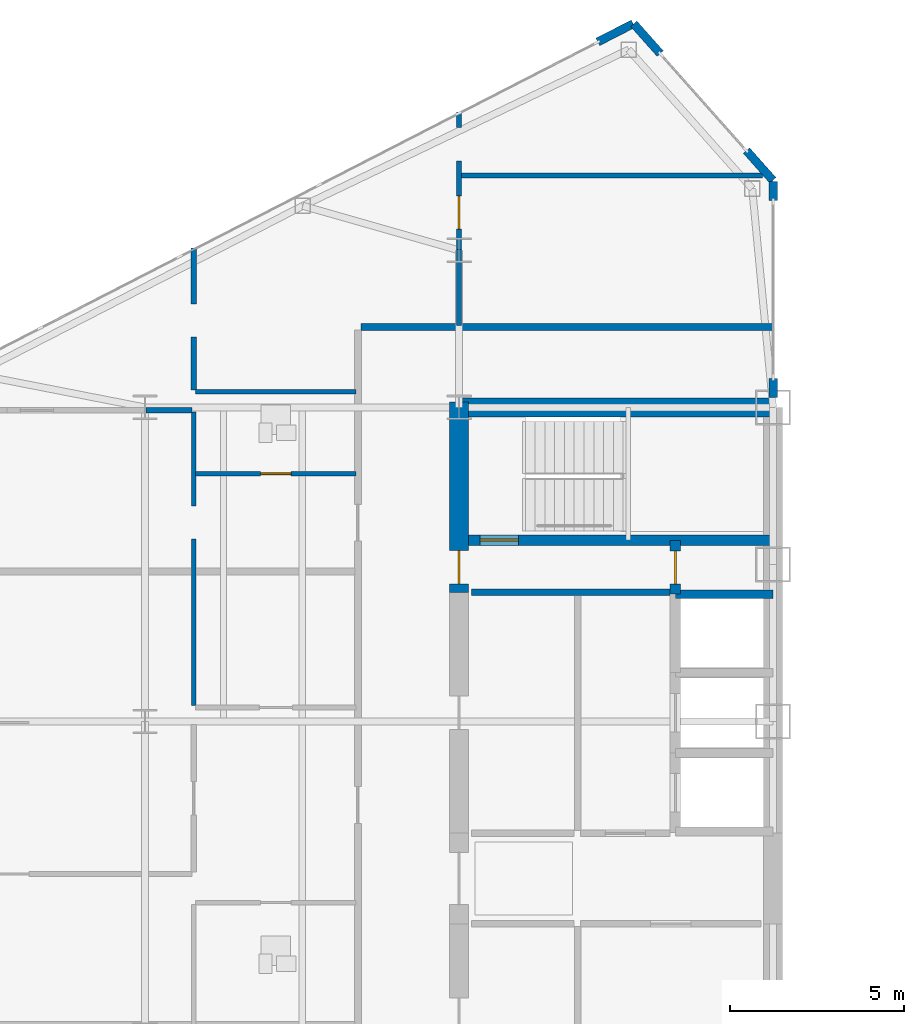
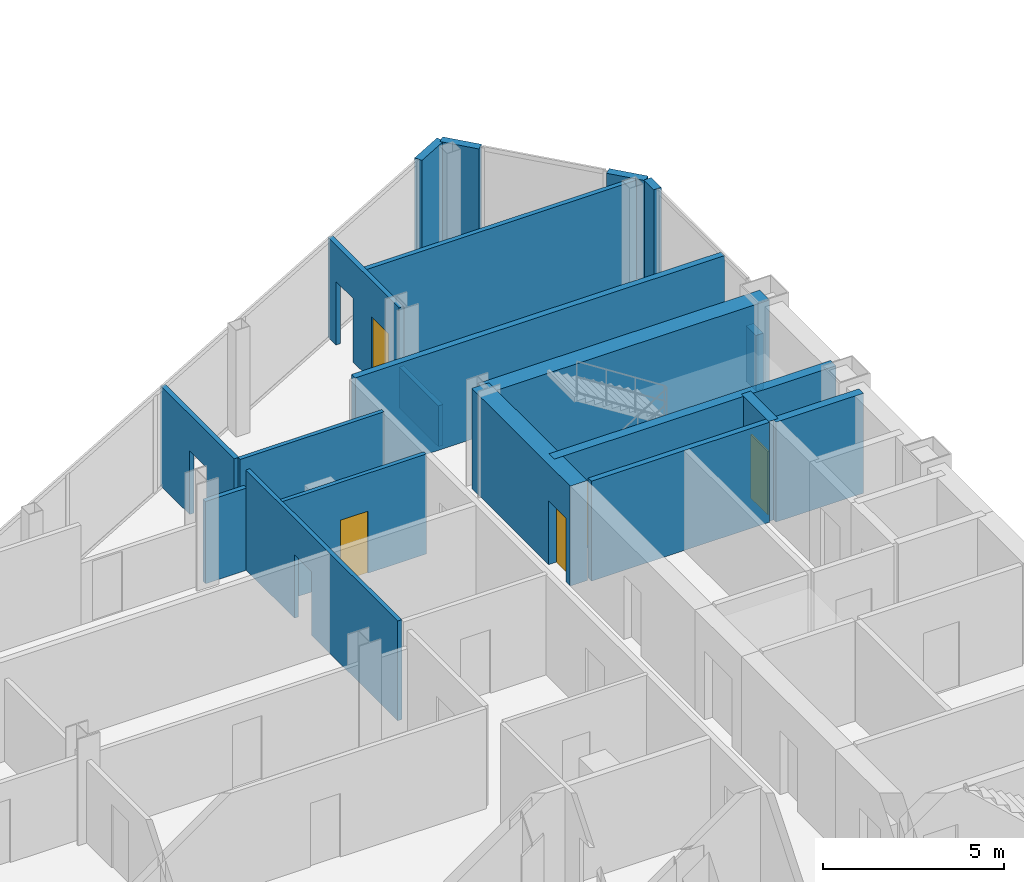
# One storey, part 17 of 23: 20 walls, 5 doors, 8 openings.
"""IFC4 building model written with IfcOpenShell, lengths in metres."""

import ifcopenshell
import ifcopenshell.guid

model = None  # the IFC model being written
_history = None  # IfcOwnerHistory: only IFC2X3 demands one
_inside = {}  # id of a spatial element -> (the spatial element, [elements in it])
_under = {}  # id of a project, library or spatial element -> (it, [spatial elements below it])
_declared = {}  # id of a project -> (the project, [libraries it declares])
_typed = {}  # id of a type object -> (the type object, [elements of that type])
_made_of = {}  # id of a material, layer set ... -> (it, [elements and type objects made of it])


def new_model(schema):
    """Start an empty IFC model of exactly this schema.

    Asked for "IFC4X3", IfcOpenShell would pick the latest addendum, in which some entities
    have other attributes; the version numbers below select the first issue.
    IFC2X3 requires an IfcOwnerHistory on every rooted entity: one is made here for all.
    """
    global model, _history
    if schema == "IFC4X3":
        model = ifcopenshell.file(schema_version=(4, 3, 0, 0))
    else:
        model = ifcopenshell.file(schema=schema)
    _inside.clear()
    _under.clear()
    _declared.clear()
    _typed.clear()
    _made_of.clear()
    _history = None
    if model.schema == "IFC2X3":
        org = make("IfcOrganization", Name="unknown")
        user = make(
            "IfcPersonAndOrganization",
            ThePerson=make("IfcPerson", FamilyName="unknown"),
            TheOrganization=org,
        )
        app = make(
            "IfcApplication",
            ApplicationDeveloper=org,
            Version="unknown",
            ApplicationFullName="unknown",
            ApplicationIdentifier="unknown",
        )
        _history = make(
            "IfcOwnerHistory",
            OwningUser=user,
            OwningApplication=app,
            ChangeAction="ADDED",
            CreationDate=0,
        )
    return model


def make(cls, **values):
    """One entity of the class cls with the attributes given. An attribute that is None is left unset."""
    return model.create_entity(
        cls, **{name: value for name, value in values.items() if value is not None}
    )


def rooted(cls, **values):
    """An entity with a GlobalId (a new one), such as an element, a storey or a relation."""
    return make(cls, GlobalId=ifcopenshell.guid.new(), OwnerHistory=_history, **values)


def si_unit(unit_type, name, prefix=None):
    """IfcSIUnit, for example si_unit("LENGTHUNIT", "METRE", prefix="MILLI")."""
    return make("IfcSIUnit", UnitType=unit_type, Prefix=prefix, Name=name)


def assignment(units):
    """IfcUnitAssignment: the units of a project."""
    return None if units is None else make("IfcUnitAssignment", Units=units)


def point(xyz):
    """IfcCartesianPoint."""
    return None if xyz is None else make("IfcCartesianPoint", Coordinates=xyz)


def direction(xyz):
    """IfcDirection."""
    return None if xyz is None else make("IfcDirection", DirectionRatios=xyz)


def frame(location, z_axis=None, x_axis=None):
    """IfcAxis2Placement3D, a coordinate frame: its origin and axes. An axis left out is left unset."""
    return make(
        "IfcAxis2Placement3D",
        Location=point(location),
        Axis=direction(z_axis),
        RefDirection=direction(x_axis),
    )


def frame_2d(location, x_axis=None):
    """IfcAxis2Placement2D, a coordinate frame in the plane: its origin and x axis."""
    return make(
        "IfcAxis2Placement2D", Location=point(location), RefDirection=direction(x_axis)
    )


def origin():
    """The frame at (0, 0, 0) with its axes left unset."""
    return frame((0.0, 0.0, 0.0))


def place(relative_to, where):
    """IfcLocalPlacement: puts the frame where relative to a parent placement (None: the world)."""
    return make(
        "IfcLocalPlacement", PlacementRelTo=relative_to, RelativePlacement=where
    )


def context(
    kind, dimensions, precision=None, world=None, true_north=None, identifier=None
):
    """IfcGeometricRepresentationContext, for example the 3D "Model" context."""
    return make(
        "IfcGeometricRepresentationContext",
        ContextIdentifier=identifier,
        ContextType=kind,
        CoordinateSpaceDimension=dimensions,
        Precision=precision,
        WorldCoordinateSystem=world,
        TrueNorth=true_north,
    )


def subcontext(parent, identifier, kind, view, scale=None):
    """IfcGeometricRepresentationSubContext, for example "Body" below "Model"."""
    return make(
        "IfcGeometricRepresentationSubContext",
        ContextIdentifier=identifier,
        ContextType=kind,
        ParentContext=parent,
        TargetScale=scale,
        TargetView=view,
    )


def project(units=None, contexts=None):
    """IfcProject with its units and contexts."""
    return rooted(
        "IfcProject",
        Name="project",
        RepresentationContexts=contexts,
        UnitsInContext=assignment(units),
    )


def spatial(cls, under=None, at=None, **own):
    """A site, building, storey or space (cls), placed at a placement, below another one or the project."""
    s = rooted(cls, ObjectPlacement=at, **own)
    if under is not None:
        _under.setdefault(under.id(), (under, []))[1].append(s)
    return s


def profile(cls, at=None, kind="AREA", **sizes):
    """A parametric profile (cls). Its sizes go by their IFC names, for example OverallWidth=200.0."""
    return make(cls, ProfileType=kind, Position=at, **sizes)


def rectangle(**sizes):
    """IfcRectangleProfileDef."""
    return profile("IfcRectangleProfileDef", **sizes)


def extrude(swept, where, along, depth):
    """IfcExtrudedAreaSolid: the profile swept, set in the frame where, extruded along a direction by depth."""
    return make(
        "IfcExtrudedAreaSolid",
        SweptArea=swept,
        Position=where,
        ExtrudedDirection=direction(along),
        Depth=depth,
    )


def shape(context_of_items, identifier, shape_type, items):
    """IfcShapeRepresentation: the items that make up one representation, for example the "Body"."""
    return make(
        "IfcShapeRepresentation",
        ContextOfItems=context_of_items,
        RepresentationIdentifier=identifier,
        RepresentationType=shape_type,
        Items=items,
    )


def source(mapping_origin, context_of_items, identifier, shape_type, items):
    """IfcRepresentationMap: a shape defined once, which mapped items show again and again."""
    return make(
        "IfcRepresentationMap",
        MappingOrigin=mapping_origin,
        MappedRepresentation=shape(context_of_items, identifier, shape_type, items),
    )


def transform(
    local_origin,
    x_axis=None,
    y_axis=None,
    z_axis=None,
    scale=None,
    scale2=None,
    scale3=None,
    uniform=True,
):
    """IfcCartesianTransformationOperator3D, or its non-uniform kind. x_axis, y_axis, z_axis: its Axis1, 2, 3."""
    if uniform:
        return make(
            "IfcCartesianTransformationOperator3D",
            Axis1=direction(x_axis),
            Axis2=direction(y_axis),
            LocalOrigin=point(local_origin),
            Scale=scale,
            Axis3=direction(z_axis),
        )
    return make(
        "IfcCartesianTransformationOperator3DnonUniform",
        Axis1=direction(x_axis),
        Axis2=direction(y_axis),
        LocalOrigin=point(local_origin),
        Scale=scale,
        Axis3=direction(z_axis),
        Scale2=scale2,
        Scale3=scale3,
    )


def mapped(mapping_source, mapping_target):
    """IfcMappedItem: shows the shape of a source again, moved by a transform."""
    return make(
        "IfcMappedItem", MappingSource=mapping_source, MappingTarget=mapping_target
    )


def material(Name=None, Category=None):
    """IfcMaterial."""
    return make("IfcMaterial", Name=Name, Category=Category)


def layer(
    of_material, thickness, ventilated=None, Name=None, Category=None, Priority=None
):
    """IfcMaterialLayer: one layer of a wall or slab, of a material (None: an air gap)."""
    return make(
        "IfcMaterialLayer",
        Material=of_material,
        LayerThickness=thickness,
        IsVentilated=ventilated,
        Name=Name,
        Category=Category,
        Priority=Priority,
    )


def layer_set(layers, Name=None):
    """IfcMaterialLayerSet."""
    return make("IfcMaterialLayerSet", MaterialLayers=layers, LayerSetName=Name)


def made_of(thing, what):
    """Note that an element or type object is made of a material, layer set ...; save() writes the relation."""
    if what is not None:
        _made_of.setdefault(what.id(), (what, []))[1].append(thing)
    return thing


def type_object(cls, material=None, **own):
    """A type object (cls), such as IfcWallType, which elements share."""
    return made_of(rooted(cls, **own), material)


def type_shapes(of_type, sources):
    """Give a type object the sources (RepresentationMaps) that its elements show as mapped items."""
    of_type.RepresentationMaps = sources


def element(
    cls,
    number,
    at=None,
    inside=None,
    cuts=None,
    type_object=None,
    material=None,
    context=None,
    identifier="Body",
    shape_type=None,
    held_by="IfcProductDefinitionShape",
    body=None,
    shapes=None,
    **own,
):
    """One element of the class cls, such as IfcWall. Its Tag is "e" and its number.

    at: its placement. inside: the storey or other place that contains it. cuts: it is an
    opening in that element (IfcRelVoidsElement). A single representation is given by context,
    identifier, shape_type and body (its items); several are given by shapes. held_by: the class
    of the entity that holds the representations. save() writes the other relations.
    """
    e = rooted(cls, Tag="e%d" % number, ObjectPlacement=at, **own)
    if body is not None:
        shapes = [shape(context, identifier, shape_type, body)]
    if shapes is not None:
        e.Representation = make(held_by, Representations=shapes)
    if inside is not None:
        _inside.setdefault(inside.id(), (inside, []))[1].append(e)
    if cuts is not None:
        rooted(
            "IfcRelVoidsElement", RelatingBuildingElement=cuts, RelatedOpeningElement=e
        )
    if type_object is not None:
        _typed.setdefault(type_object.id(), (type_object, []))[1].append(e)
    return made_of(e, material)


def fill(opening, filler):
    """IfcRelFillsElement: the door or window that sits in an opening."""
    return rooted(
        "IfcRelFillsElement",
        RelatingOpeningElement=opening,
        RelatedBuildingElement=filler,
    )


def aggregate(whole, parts):
    """IfcRelAggregates: a whole, such as a stair, and the parts it consists of."""
    return rooted("IfcRelAggregates", RelatingObject=whole, RelatedObjects=parts)


def save(model, path):
    """Write the relations noted so far, then the file.

    IfcRelAggregates (storeys below a building ...), IfcRelContainedInSpatialStructure (elements
    in a storey), IfcRelDefinesByType, IfcRelAssociatesMaterial and IfcRelDeclares: one each for
    every whole, place, type object, material and project.
    """
    for whole, parts in _under.values():
        aggregate(whole, parts)
    for where, things in _inside.values():
        rooted(
            "IfcRelContainedInSpatialStructure",
            RelatedElements=things,
            RelatingStructure=where,
        )
    for kind, things in _typed.values():
        rooted("IfcRelDefinesByType", RelatedObjects=things, RelatingType=kind)
    for what, things in _made_of.values():
        rooted("IfcRelAssociatesMaterial", RelatedObjects=things, RelatingMaterial=what)
    for by, libraries in _declared.values():
        rooted("IfcRelDeclares", RelatingContext=by, RelatedDefinitions=libraries)
    model.write(path)


model = new_model("IFC4")

# Units and contexts
model_context = context("Model", 3, precision=1e-05, world=origin(), true_north=direction((0.0, 1.0)))
body_context = subcontext(model_context, "Body", "Model", "MODEL_VIEW")
ifc_project = project(units=[si_unit("LENGTHUNIT", "METRE"), si_unit("AREAUNIT", "SQUARE_METRE"), si_unit("VOLUMEUNIT", "CUBIC_METRE"), si_unit("PLANEANGLEUNIT", "RADIAN"), si_unit("MASSUNIT", "GRAM", prefix="KILO")], contexts=[model_context])

# Site, building, storey
site_placement = place(None, origin())
site = spatial("IfcSite", under=ifc_project, at=site_placement, CompositionType="ELEMENT")
building_placement = place(site_placement, origin())
building = spatial("IfcBuilding", under=site, at=building_placement, Name="Seokmaru Belvedere", CompositionType="ELEMENT")
storey_placement = place(building_placement, frame((0.0, 0.0, 154.800048828125)))
storey = spatial("IfcBuildingStorey", under=building, at=storey_placement, Name="L41", CompositionType="ELEMENT", Elevation=154.800048828125)

# Walls
ifc_material_1 = material(Name="Fire-Rated Gypsum Shaftwall")
ifc_layer_1 = layer(ifc_material_1, 0.14990234375)
ifc_layer_set_1 = layer_set([ifc_layer_1], Name="Fire-Rated Gypsum Shaftwall")
wall_type_1 = type_object("IfcWallType", Name="Apartment Fire-Acoustic Room Partition 150", PredefinedType="PARTITIONING", material=ifc_layer_set_1)
wall_1_placement = place(storey_placement, frame((-45.465087890625, 13.419921875, 0.0), z_axis=(0.0, 0.0, 1.0), x_axis=(1.0, 0.0, 0.0)))
element("IfcWall", 1, at=wall_1_placement, inside=storey, type_object=wall_type_1, Name="L41 Interior Partition 030 Part 3", PredefinedType="PARTITIONING", context=body_context, shape_type="SweptSolid", body=[
    extrude(rectangle(XDim=1.315185546875, YDim=0.14990234375, at=frame_2d((0.65771484375, 0.0))), origin(), (0.0, 0.0, 1.0), 2.780029296875),
])
wall_2_placement = place(storey_placement, frame((-36.449951171875, 20.14990234375, 0.0), z_axis=(0.0, 0.0, 1.0), x_axis=(1.0, 0.0, 0.0)))
element("IfcWall", 2, at=wall_2_placement, inside=storey, type_object=wall_type_1, Name="L41 Interior Partition 036", PredefinedType="PARTITIONING", context=body_context, shape_type="SweptSolid", body=[
    extrude(rectangle(XDim=8.6494140625, YDim=0.14990234375, at=frame_2d((4.32470703125, 0.0))), origin(), (0.0, 0.0, 1.0), 3.3798828125),
])

# Wall, opening
wall_3_placement = place(storey_placement, frame((-44.10009765625, 13.9951171875, 0.0), z_axis=(0.0, 0.0, 1.0), x_axis=(0.0, 1.0, 0.0)))
wall_3 = element("IfcWall", 3, at=wall_3_placement, inside=storey, type_object=wall_type_1, Name="L41 Interior Partition 044", PredefinedType="PARTITIONING", context=body_context, shape_type="SweptSolid", body=[
    extrude(rectangle(XDim=4.073974609375, YDim=0.14990234375, at=frame_2d((2.037109375, 0.0))), origin(), (0.0, 0.0, 1.0), 3.3798828125),
])
opening_1_placement = place(wall_3_placement, frame((1.51953125, 0.0, 0.0)))
element("IfcOpeningElement", 4, at=opening_1_placement, cuts=wall_3, Name="L41 Cased Opening 028", PredefinedType="OPENING", context=body_context, shape_type="SweptSolid", body=[
    extrude(rectangle(XDim=0.949951171875, YDim=2.14990234375, at=frame_2d((0.47509765625, 1.074951171875))), frame((0.0, 0.0849609375, 0.0), z_axis=(0.0, -1.0, 0.0), x_axis=(1.0, 0.0, 0.0)), (0.0, 0.0, 1.0), 0.169921875),
])

# Wall
wall_4_placement = place(storey_placement, frame((-36.5, 15.85009765625, 0.0), z_axis=(0.0, 0.0, 1.0), x_axis=(0.0, 1.0, 0.0)))
element("IfcWall", 5, at=wall_4_placement, inside=storey, type_object=wall_type_1, Name="L41 Interior Partition 047", PredefinedType="PARTITIONING", context=body_context, shape_type="SweptSolid", body=[
    extrude(rectangle(XDim=2.169921875, YDim=0.14990234375, at=frame_2d((1.0849609375, 0.0))), origin(), (0.0, 0.0, 1.0), 1.3798828125),
])

# Wall, openings, door
wall_5_placement = place(storey_placement, frame((-36.5, 18.02001953125, 0.0), z_axis=(0.0, 0.0, 1.0), x_axis=(0.0, 1.0, 0.0)))
wall_5 = element("IfcWall", 6, at=wall_5_placement, inside=storey, type_object=wall_type_1, Name="L41 Interior Partition 047 Part 2", PredefinedType="PARTITIONING", context=body_context, shape_type="SweptSolid", body=[
    extrude(rectangle(XDim=3.948974609375, YDim=0.14990234375, at=frame_2d((1.974609375, 0.0))), origin(), (0.0, 0.0, 1.0), 3.3798828125),
])
opening_2_placement = place(wall_5_placement, frame((0.5908203125, 0.0, 0.0)))
opening_2 = element("IfcOpeningElement", 7, at=opening_2_placement, cuts=wall_5, Name="Opening D05", PredefinedType="OPENING", context=body_context, shape_type="SweptSolid", body=[
    extrude(rectangle(XDim=0.949951171875, YDim=2.14990234375, at=frame_2d((0.47509765625, 1.074951171875))), frame((0.0, 0.0849609375, 0.0), z_axis=(0.0, -1.0, 0.0), x_axis=(1.0, 0.0, 0.0)), (0.0, 0.0, 1.0), 0.169921875),
])
opening_3_placement = place(wall_5_placement, frame((2.547119140625, 0.0, 0.0)))
element("IfcOpeningElement", 8, at=opening_3_placement, cuts=wall_5, Name="L41 Cased Opening 030", PredefinedType="OPENING", context=body_context, shape_type="SweptSolid", body=[
    extrude(rectangle(XDim=0.949951171875, YDim=2.14990234375, at=frame_2d((0.47509765625, 1.074951171875))), frame((0.0, 0.0849609375, 0.0), z_axis=(0.0, -1.0, 0.0), x_axis=(1.0, 0.0, 0.0)), (0.0, 0.0, 1.0), 0.169921875),
])
ifc_material_2 = material(Name="Engineered White Oak Timber", Category="wood")
door_type_1 = type_object("IfcDoorType", Name="Apartment Interior Fire-Rated Oak Door 950x2150", OperationType="NOTDEFINED", PredefinedType="DOOR", material=ifc_material_2)
shared_shape_1 = source(origin(), body_context, "Body", "SweptSolid", [
    extrude(rectangle(XDim=0.949951171875, YDim=2.14990234375, at=frame_2d((0.47509765625, 1.074951171875))), frame((0.0, 0.02490234375, 0.0), z_axis=(0.0, -1.0, 0.0), x_axis=(1.0, 0.0, 0.0)), (0.0, 0.0, 1.0), 0.050048828125),
])
type_shapes(door_type_1, [shared_shape_1])
door_1_placement = place(opening_2_placement, origin())
door_1 = element("IfcDoor", 9, at=door_1_placement, inside=storey, type_object=door_type_1, Name="L41 Interior Door 029", OperationType="SINGLE_SWING_LEFT", OverallHeight=2.14990234375, OverallWidth=0.949951171875, PredefinedType="DOOR", context=body_context, shape_type="MappedRepresentation", body=[
    mapped(shared_shape_1, transform((0.0, 0.0, 0.0), scale=1.0)),
])
fill(opening_2, door_1)

# Walls
ifc_layer_2 = layer(ifc_material_1, 0.179931640625)
ifc_layer_set_2 = layer_set([ifc_layer_2], Name="Fire-Rated Gypsum Shaftwall")
wall_type_2 = type_object("IfcWallType", Name="Core Service Fire Partition 180", PredefinedType="PARTITIONING", material=ifc_layer_set_2)
wall_6_placement = place(storey_placement, frame((-36.14990234375, 8.199951171875, 0.0), z_axis=(0.0, 0.0, 1.0), x_axis=(1.0, 0.0, 0.0)))
element("IfcWall", 10, at=wall_6_placement, inside=storey, type_object=wall_type_2, Name="L41 West Smokeproof Vestibule Partition", PredefinedType="PARTITIONING", context=body_context, shape_type="SweptSolid", body=[
    extrude(rectangle(XDim=5.699951171875, YDim=0.179931640625, at=frame_2d((2.85009765625, 0.0))), origin(), (0.0, 0.0, 1.0), 3.3798828125),
])
ifc_material_3 = material(Name="Concrete C50 (50 MPa)", Category="concrete")
ifc_layer_3 = layer(ifc_material_3, 0.25)
ifc_layer_set_3 = layer_set([ifc_layer_3], Name="Concrete C50 (50 MPa)")
wall_type_3 = type_object("IfcWallType", Name="Hoistway Transverse Concrete Divider Wall 250", PredefinedType="SHEAR", material=ifc_layer_set_3)
wall_7_placement = place(storey_placement, frame((-30.300048828125, 8.14990234375, 0.0), z_axis=(0.0, 0.0, 1.0), x_axis=(1.0, 0.0, 0.0)))
element("IfcWall", 11, at=wall_7_placement, inside=storey, type_object=wall_type_3, Name="L41 West Hoistway Divider Core Wall 5", PredefinedType="SHEAR", context=body_context, shape_type="SweptSolid", body=[
    extrude(rectangle(XDim=2.800048828125, YDim=0.25, at=frame_2d((1.39990234375, 0.0))), origin(), (0.0, 0.0, 1.0), 3.3798828125),
])
ifc_layer_4 = layer(ifc_material_1, 0.199951171875)
ifc_layer_set_4 = layer_set([ifc_layer_4], Name="Fire-Rated Gypsum Shaftwall")
wall_type_4 = type_object("IfcWallType", Name="Inter-Tenancy Fire Compartment Partition 200", PredefinedType="PARTITIONING", material=ifc_layer_set_4)
wall_8_placement = place(storey_placement, frame((-39.31494140625, 15.800048828125, 0.0), z_axis=(0.0, 0.0, 1.0), x_axis=(1.0, 0.0, 0.0)))
element("IfcWall", 12, at=wall_8_placement, inside=storey, type_object=wall_type_4, Name="L41 Interior Partition 034", PredefinedType="PARTITIONING", context=body_context, shape_type="SweptSolid", body=[
    extrude(rectangle(XDim=11.81494140625, YDim=0.199951171875, at=frame_2d((5.907470703125, 0.0))), origin(), (0.0, 0.0, 1.0), 3.3798828125),
])

# Wall, opening, door
ifc_layer_5 = layer(ifc_material_3, 0.300048828125)
ifc_layer_set_5 = layer_set([ifc_layer_5], Name="Concrete C50 (50 MPa)")
wall_type_5 = type_object("IfcWallType", Name="Internal Core Stair and Hoistway Wall 300", PredefinedType="SHEAR", material=ifc_layer_set_5)
wall_9_placement = place(storey_placement, frame((-36.5, 9.699951171875, 0.0), z_axis=(0.0, 0.0, 1.0), x_axis=(1.0, 0.0, 0.0)))
wall_9 = element("IfcWall", 13, at=wall_9_placement, inside=storey, type_object=wall_type_5, Name="L41 West Stair ST-2 Enclosure Wall", PredefinedType="SHEAR", context=body_context, shape_type="SweptSolid", body=[
    extrude(rectangle(XDim=9.0, YDim=0.300048828125, at=frame_2d((4.5, 0.0))), origin(), (0.0, 0.0, 1.0), 3.3798828125),
])
opening_4_placement = place(wall_9_placement, frame((0.60009765625, 0.0, 0.0)))
opening_4 = element("IfcOpeningElement", 14, at=opening_4_placement, cuts=wall_9, Name="Opening D01", PredefinedType="OPENING", context=body_context, shape_type="SweptSolid", body=[
    extrude(rectangle(XDim=1.10009765625, YDim=2.199951171875, at=frame_2d((0.550048828125, 1.10009765625))), frame((0.0, 0.16015625, 0.0), z_axis=(0.0, -1.0, 0.0), x_axis=(1.0, 0.0, 0.0)), (0.0, 0.0, 1.0), 0.320068359375),
])
ifc_material_4 = material(Name="Fire-Rated Steel Leaf", Category="steel")
door_type_2 = type_object("IfcDoorType", Name="Special Escape Stair Smokeproof Fire Door 1100x2200", OperationType="NOTDEFINED", PredefinedType="DOOR", material=ifc_material_4)
shared_shape_2 = source(origin(), body_context, "Body", "SweptSolid", [
    extrude(rectangle(XDim=1.10009765625, YDim=2.199951171875, at=frame_2d((0.550048828125, 1.10009765625))), frame((0.0, 0.02490234375, 0.0), z_axis=(0.0, -1.0, 0.0), x_axis=(1.0, 0.0, 0.0)), (0.0, 0.0, 1.0), 0.050048828125),
])
type_shapes(door_type_2, [shared_shape_2])
door_2_placement = place(opening_4_placement, origin())
door_2 = element("IfcDoor", 15, at=door_2_placement, inside=storey, type_object=door_type_2, Name="L41 West Special Escape Stair ST-2 Door", OperationType="SINGLE_SWING_RIGHT", OverallHeight=2.199951171875, OverallWidth=1.10009765625, PredefinedType="DOOR", context=body_context, shape_type="MappedRepresentation", body=[
    mapped(shared_shape_2, transform((0.0, 0.0, 0.0), scale=1.0)),
])
fill(opening_4, door_2)

wall_10_placement = place(storey_placement, frame((-30.300048828125, 8.14990234375, 0.0), z_axis=(0.0, 0.0, 1.0), x_axis=(0.0, 1.0, 0.0)))
wall_10 = element("IfcWall", 16, at=wall_10_placement, inside=storey, type_object=wall_type_5, Name="L41 West Electrical Riser Front Wall", PredefinedType="SHEAR", context=body_context, shape_type="SweptSolid", body=[
    extrude(rectangle(XDim=1.530029296875, YDim=0.300048828125, at=frame_2d((0.76513671875, 0.0))), origin(), (0.0, 0.0, 1.0), 3.3798828125),
])
opening_5_placement = place(wall_10_placement, frame((0.284912109375, 0.0, 0.0)))
opening_5 = element("IfcOpeningElement", 17, at=opening_5_placement, cuts=wall_10, Name="Opening D04", PredefinedType="OPENING", context=body_context, shape_type="SweptSolid", body=[
    extrude(rectangle(XDim=0.949951171875, YDim=2.14990234375, at=frame_2d((0.47509765625, 1.074951171875))), frame((0.0, 0.16015625, 0.0), z_axis=(0.0, -1.0, 0.0), x_axis=(1.0, 0.0, 0.0)), (0.0, 0.0, 1.0), 0.320068359375),
])
door_type_3 = type_object("IfcDoorType", Name="Core Service Room Fire Door 950x2150", OperationType="NOTDEFINED", PredefinedType="DOOR", material=ifc_material_4)
shared_shape_3 = source(origin(), body_context, "Body", "SweptSolid", [
    extrude(rectangle(XDim=0.949951171875, YDim=2.14990234375, at=frame_2d((0.47509765625, 1.074951171875))), frame((0.0, 0.02490234375, 0.0), z_axis=(0.0, -1.0, 0.0), x_axis=(1.0, 0.0, 0.0)), (0.0, 0.0, 1.0), 0.050048828125),
])
type_shapes(door_type_3, [shared_shape_3])
door_3_placement = place(opening_5_placement, origin())
door_3 = element("IfcDoor", 18, at=door_3_placement, inside=storey, type_object=door_type_3, Name="L41 West Electrical Riser Access Door", OperationType="SINGLE_SWING_LEFT", OverallHeight=2.14990234375, OverallWidth=0.949951171875, PredefinedType="DOOR", context=body_context, shape_type="MappedRepresentation", body=[
    mapped(shared_shape_3, transform((0.0, 0.0, 0.0), scale=1.0)),
])
fill(opening_5, door_3)

# Wall
ifc_layer_6 = layer(ifc_material_3, 0.550048828125)
ifc_layer_set_6 = layer_set([ifc_layer_6], Name="Concrete C50 (50 MPa)")
wall_type_6 = type_object("IfcWallType", Name="Mid-High Reinforced Concrete Core Wall 550", PredefinedType="SHEAR", material=ifc_layer_set_6)
wall_11_placement = place(storey_placement, frame((-36.5, 13.5, 0.0), z_axis=(0.0, 0.0, 1.0), x_axis=(1.0, 0.0, 0.0)))
element("IfcWall", 19, at=wall_11_placement, inside=storey, type_object=wall_type_6, Name="L41 West North Core Wall", PredefinedType="SHEAR", context=body_context, shape_type="SweptSolid", body=[
    extrude(rectangle(XDim=9.0, YDim=0.550048828125, at=frame_2d((4.5, 0.0))), origin(), (0.0, 0.0, 1.0), 3.3798828125),
])

# Wall, opening, door
wall_12_placement = place(storey_placement, frame((-36.5, 8.199951171875, 0.0), z_axis=(0.0, 0.0, 1.0), x_axis=(0.0, 1.0, 0.0)))
wall_12 = element("IfcWall", 20, at=wall_12_placement, inside=storey, type_object=wall_type_6, Name="L41 West West Core Wall VST", PredefinedType="SHEAR", context=body_context, shape_type="SweptSolid", body=[
    extrude(rectangle(XDim=5.449951171875, YDim=0.550048828125, at=frame_2d((2.72509765625, 0.0))), origin(), (0.0, 0.0, 1.0), 3.3798828125),
])
opening_6_placement = place(wall_12_placement, frame((0.2451171875, 0.0, 0.0)))
opening_6 = element("IfcOpeningElement", 21, at=opening_6_placement, cuts=wall_12, Name="Opening D04", PredefinedType="OPENING", context=body_context, shape_type="SweptSolid", body=[
    extrude(rectangle(XDim=0.949951171875, YDim=2.14990234375, at=frame_2d((0.47509765625, 1.074951171875))), frame((0.0, 0.28515625, 0.0), z_axis=(0.0, -1.0, 0.0), x_axis=(1.0, 0.0, 0.0)), (0.0, 0.0, 1.0), 0.570068359375),
])
door_4_placement = place(opening_6_placement, frame((0.949951171875, 0.0, 0.0), z_axis=(0.0, 0.0, 1.0), x_axis=(-1.0, 0.0, 0.0)))
door_4 = element("IfcDoor", 22, at=door_4_placement, inside=storey, type_object=door_type_3, Name="L41 West Smokeproof Vestibule Door", OperationType="SINGLE_SWING_RIGHT", OverallHeight=2.14990234375, OverallWidth=0.949951171875, PredefinedType="DOOR", context=body_context, shape_type="MappedRepresentation", body=[
    mapped(shared_shape_3, transform((0.0, 0.0, 0.0), scale=1.0)),
])
fill(opening_6, door_4)

ifc_layer_7 = layer(ifc_material_1, 0.1298828125)
ifc_layer_set_7 = layer_set([ifc_layer_7], Name="Fire-Rated Gypsum Shaftwall")
wall_type_7 = type_object("IfcWallType", Name="Moisture-Resistant Fire-Rated Bathroom Partition 130", PredefinedType="PARTITIONING", material=ifc_layer_set_7)
wall_13_placement = place(storey_placement, frame((-44.050048828125, 11.60009765625, 0.0), z_axis=(0.0, 0.0, 1.0), x_axis=(1.0, 0.0, 0.0)))
wall_13 = element("IfcWall", 23, at=wall_13_placement, inside=storey, type_object=wall_type_7, Name="L41 Interior Partition 029", PredefinedType="PARTITIONING", context=body_context, shape_type="SweptSolid", body=[
    extrude(rectangle(XDim=4.60009765625, YDim=0.1298828125, at=frame_2d((2.300048828125, 0.0))), origin(), (0.0, 0.0, 1.0), 3.3798828125),
])
opening_7_placement = place(wall_13_placement, frame((1.860107421875, 0.0, 0.0)))
opening_7 = element("IfcOpeningElement", 24, at=opening_7_placement, cuts=wall_13, Name="Opening D06", PredefinedType="OPENING", context=body_context, shape_type="SweptSolid", body=[
    extrude(rectangle(XDim=0.8798828125, YDim=2.10009765625, at=frame_2d((0.43994140625, 1.050048828125))), frame((0.0, 0.074951171875, 0.0), z_axis=(0.0, -1.0, 0.0), x_axis=(1.0, 0.0, 0.0)), (0.0, 0.0, 1.0), 0.14990234375),
])
door_type_4 = type_object("IfcDoorType", Name="Bathroom and Restroom Fire-Rated Door 880x2100", OperationType="NOTDEFINED", PredefinedType="DOOR", material=ifc_material_2)
shared_shape_4 = source(origin(), body_context, "Body", "SweptSolid", [
    extrude(rectangle(XDim=0.8798828125, YDim=2.10009765625, at=frame_2d((0.43994140625, 1.050048828125))), frame((0.0, 0.02490234375, 0.0), z_axis=(0.0, -1.0, 0.0), x_axis=(1.0, 0.0, 0.0)), (0.0, 0.0, 1.0), 0.050048828125),
])
type_shapes(door_type_4, [shared_shape_4])
door_5_placement = place(opening_7_placement, origin())
door_5 = element("IfcDoor", 25, at=door_5_placement, inside=storey, type_object=door_type_4, Name="L41 Interior Door 024", OperationType="SINGLE_SWING_LEFT", OverallHeight=2.10009765625, OverallWidth=0.8798828125, PredefinedType="DOOR", context=body_context, shape_type="MappedRepresentation", body=[
    mapped(shared_shape_4, transform((0.0, 0.0, 0.0), scale=1.0)),
])
fill(opening_7, door_5)

# Wall
wall_14_placement = place(storey_placement, frame((-44.050048828125, 13.949951171875, 0.0), z_axis=(0.0, 0.0, 1.0), x_axis=(1.0, 0.0, 0.0)))
element("IfcWall", 26, at=wall_14_placement, inside=storey, type_object=wall_type_7, Name="L41 Interior Partition 031", PredefinedType="PARTITIONING", context=body_context, shape_type="SweptSolid", body=[
    extrude(rectangle(XDim=4.60009765625, YDim=0.1298828125, at=frame_2d((2.300048828125, 0.0))), origin(), (0.0, 0.0, 1.0), 3.3798828125),
])

# Wall, opening
wall_15_placement = place(storey_placement, frame((-44.10009765625, 4.951904296875, 0.0), z_axis=(0.0, 0.0, 1.0), x_axis=(0.0, 1.0, 0.0)))
wall_15 = element("IfcWall", 27, at=wall_15_placement, inside=storey, type_object=wall_type_7, Name="L41 Interior Partition 043", PredefinedType="PARTITIONING", context=body_context, shape_type="SweptSolid", body=[
    extrude(rectangle(XDim=8.4150390625, YDim=0.1298828125, at=frame_2d((4.20751953125, 0.0))), origin(), (0.0, 0.0, 1.0), 3.3798828125),
])
opening_8_placement = place(wall_15_placement, frame((4.7705078125, 0.0, 0.0)))
element("IfcOpeningElement", 28, at=opening_8_placement, cuts=wall_15, Name="L41 Cased Opening 025", PredefinedType="OPENING", context=body_context, shape_type="SweptSolid", body=[
    extrude(rectangle(XDim=0.949951171875, YDim=2.14990234375, at=frame_2d((0.47509765625, 1.074951171875))), frame((0.0, 0.074951171875, 0.0), z_axis=(0.0, -1.0, 0.0), x_axis=(1.0, 0.0, 0.0)), (0.0, 0.0, 1.0), 0.14990234375),
])

# Walls
ifc_material_5 = material(Name="Anodised Bronze Aluminium", Category="aluminium")
ifc_layer_8 = layer(ifc_material_5, 0.239990234375)
ifc_layer_set_8 = layer_set([ifc_layer_8], Name="Anodised Bronze Aluminium")
wall_type_8 = type_object("IfcWallType", Name="Tower Corner Spandrel Closure Wall 240", PredefinedType="SOLIDWALL", material=ifc_layer_set_8)
wall_16_placement = place(storey_placement, frame((-27.5, 13.780029296875, 0.0), z_axis=(0.0, 0.0, 1.0), x_axis=(0.0, 1.0, 0.0)))
element("IfcWall", 29, at=wall_16_placement, inside=storey, type_object=wall_type_8, Name="L41 W Spine Closure Pier 2A", PredefinedType="SOLIDWALL", context=body_context, shape_type="SweptSolid", body=[
    extrude(rectangle(XDim=0.550048828125, YDim=0.239990234375, at=frame_2d((0.27490234375, 0.0))), origin(), (0.0, 0.0, 1.0), 1.8798828125),
])
wall_17_placement = place(storey_placement, frame((-27.5, 19.429931640625, 0.0), z_axis=(0.0, 0.0, 1.0), x_axis=(0.0, 1.0, 0.0)))
element("IfcWall", 30, at=wall_17_placement, inside=storey, type_object=wall_type_8, Name="L41 W Spine Closure Pier 2B", PredefinedType="SOLIDWALL", context=body_context, shape_type="SweptSolid", body=[
    extrude(rectangle(XDim=0.550048828125, YDim=0.239990234375, at=frame_2d((0.27490234375, 0.0))), origin(), (0.0, 0.0, 1.0), 3.3798828125),
])
for number, where, z_axis, x_axis, name in (
    (31, (-27.506591796875, 20.007568359375, 0.0), (0.0, 0.0, 1.0), (-0.664337252513, 0.747432950119, 0.0), "L41 W Corner Closure Pier 2A"),
    (32, (-30.736083984375, 23.640380859375, 0.0), (0.0, 0.0, 1.0), (-0.664337252513, 0.747432950119, 0.0), "L41 W Corner Closure Pier 2B"),
):
    element("IfcWall", number, at=place(storey_placement, frame(where, z_axis=z_axis, x_axis=x_axis)), inside=storey, type_object=wall_type_8, Name=name, PredefinedType="SOLIDWALL", context=body_context, shape_type="SweptSolid", body=[
        extrude(rectangle(XDim=1.139892578125, YDim=0.239990234375, at=frame_2d((0.56982421875, 0.0))), origin(), (0.0, 0.0, 1.0), 3.3798828125),
    ])
wall_18_placement = place(storey_placement, frame((-31.5087890625, 24.495361328125, 0.0), z_axis=(0.0, 0.0, 1.0), x_axis=(-0.889797395748, -0.456355776255, 0.0)))
element("IfcWall", 33, at=wall_18_placement, inside=storey, type_object=wall_type_8, Name="L41 W Corner Closure Pier 3A", PredefinedType="SOLIDWALL", context=body_context, shape_type="SweptSolid", body=[
    extrude(rectangle(XDim=1.14013671875, YDim=0.239990234375, at=frame_2d((0.570068359375, 0.0))), origin(), (0.0, 0.0, 1.0), 3.3798828125),
])

save(model, "model.ifc")
